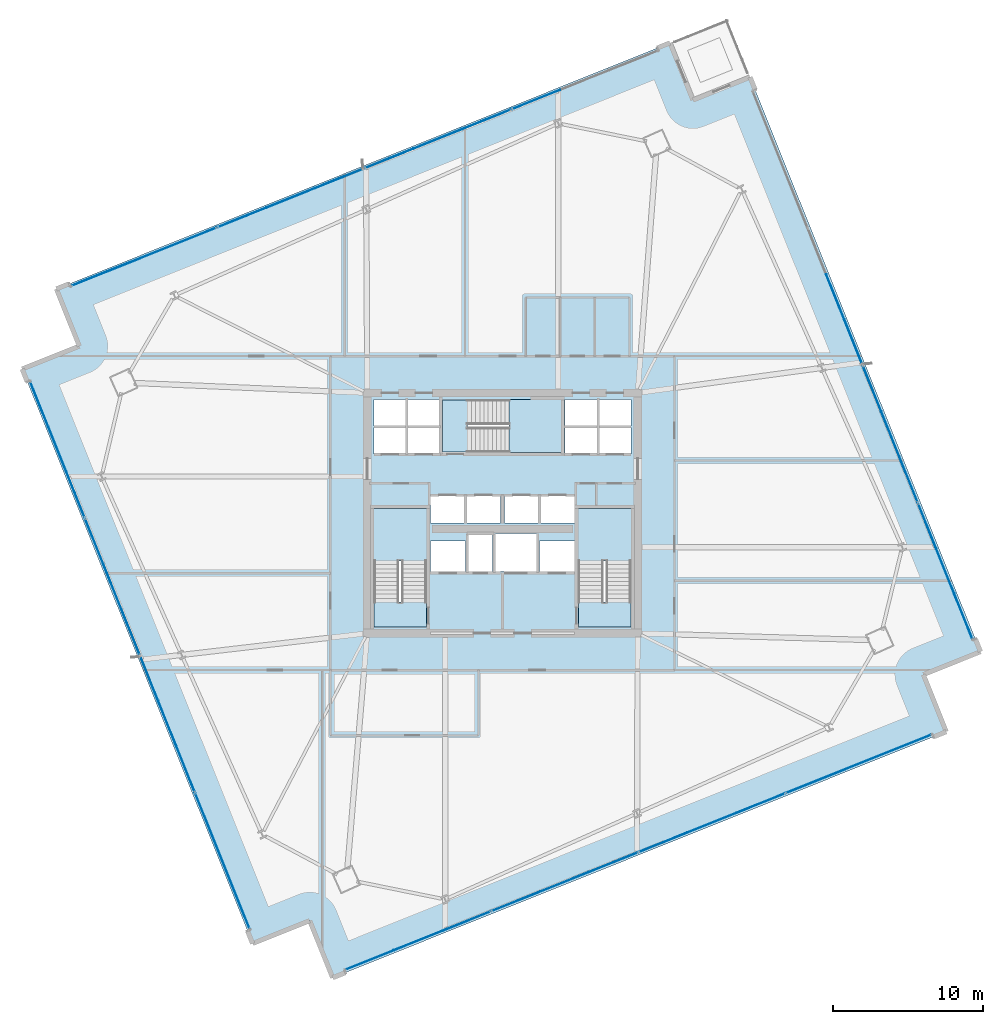
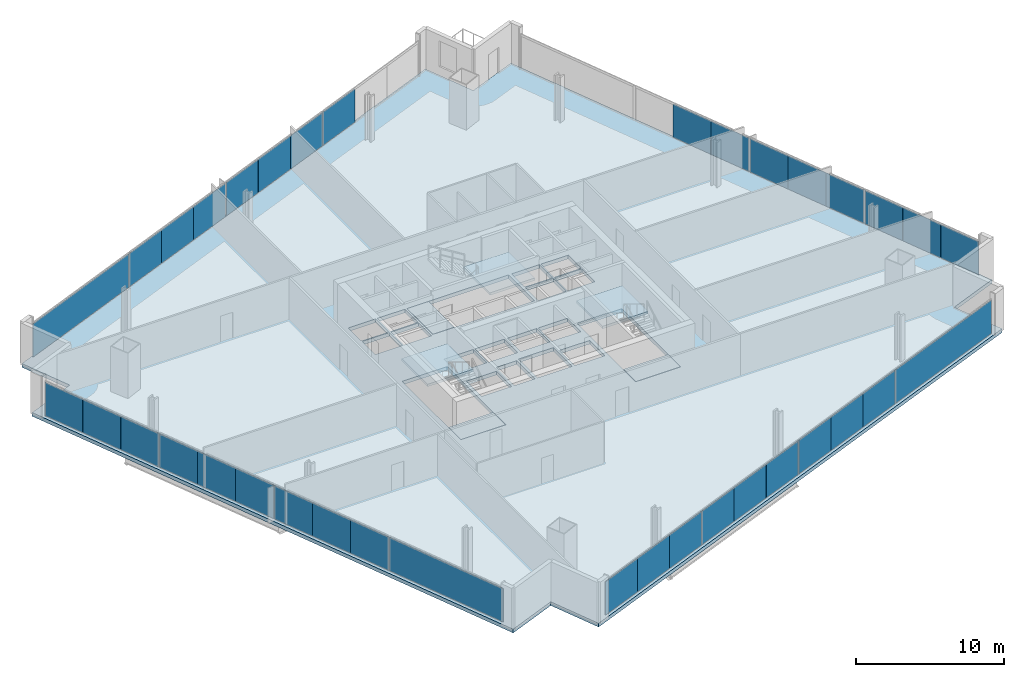
# One storey, part 23 of 33: 36 plates, 7 slabs, 7 elements without a shape of their own.
"""IFC4 building model written with IfcOpenShell, lengths in metres."""

from ifc_helpers import new_model, si_unit, direction, frame, origin, origin_2d, place, context, subcontext, project, spatial, polyline, rectangle, outline, extrude, source, transform, mapped, material, layer, layer_set, type_object, element, aggregate, save


model = new_model("IFC4")

# Units and contexts
model_context = context("Model", 3, precision=1e-05, world=origin(), true_north=direction((0.0, 1.0)))
body_context = subcontext(model_context, "Body", "Model", "MODEL_VIEW")
ifc_project = project(units=[si_unit("LENGTHUNIT", "METRE"), si_unit("AREAUNIT", "SQUARE_METRE"), si_unit("VOLUMEUNIT", "CUBIC_METRE"), si_unit("PLANEANGLEUNIT", "RADIAN"), si_unit("MASSUNIT", "GRAM", prefix="KILO")], contexts=[model_context])

# Site, building, storey
site_placement = place(None, origin())
site = spatial("IfcSite", under=ifc_project, at=site_placement, CompositionType="ELEMENT")
building_placement = place(site_placement, origin())
building = spatial("IfcBuilding", under=site, at=building_placement, Name="Haldenkirk Collegiate Tower", CompositionType="ELEMENT")
storey_placement = place(building_placement, frame((0.0, 0.0, 101.699951171875)))
storey = spatial("IfcBuildingStorey", under=building, at=storey_placement, Name="L24", CompositionType="ELEMENT", Elevation=101.699951171875)

# Slab
ifc_material_1 = material(Name="Concrete f'c 40 MPa", Category="concrete")
ifc_layer_1 = layer(ifc_material_1, 0.300048828125)
ifc_layer_set_1 = layer_set([ifc_layer_1], Name="Concrete f'c 40 MPa")
slab_type_1 = type_object("IfcSlabType", Name="SLB-FLR-300", PredefinedType="FLOOR", material=ifc_layer_set_1)
slab_1_placement = place(storey_placement, frame((0.0, 0.0, -0.300048828125)))
element("IfcSlab", 1, at=slab_1_placement, inside=storey, type_object=slab_type_1, Name="L24 composite structural floor slab", PredefinedType="FLOOR", context=body_context, shape_type="SweptSolid", body=[
    extrude(outline(polyline([(24.69873046875, -4.927978515625), (65.537841796875, 11.447998046875), (64.011962890625, 15.25341796875), (67.8173828125, 16.779296875), (52.483642578125, 55.01953125), (48.67822265625, 53.49365234375), (47.15234375, 57.299072265625), (6.313232421875, 40.92333984375), (7.839111328125, 37.117919921875), (4.03369140625, 35.591796875), (19.367431640625, -2.648193359375), (23.1728515625, -1.122314453125), (24.69873046875, -4.927978515625)]), holes=[polyline([(27.449951171875, 18.39990234375), (30.949951171875, 18.39990234375), (30.949951171875, 26.300048828125), (27.449951171875, 26.300048828125), (27.449951171875, 18.39990234375)]), polyline([(41.050048828125, 18.39990234375), (44.550048828125, 18.39990234375), (44.550048828125, 26.300048828125), (41.050048828125, 26.300048828125), (41.050048828125, 18.39990234375)]), polyline([(32.0, 30.050048828125), (39.89990234375, 30.050048828125), (39.89990234375, 33.550048828125), (32.0, 33.550048828125), (32.0, 30.050048828125)]), polyline([(33.75, 22.10009765625), (35.35009765625, 22.10009765625), (35.35009765625, 24.550048828125), (33.75, 24.550048828125), (33.75, 22.10009765625)]), polyline([(27.449951171875, 29.949951171875), (29.580078125, 29.949951171875), (29.580078125, 31.699951171875), (27.449951171875, 31.699951171875), (27.449951171875, 29.949951171875)]), polyline([(29.679931640625, 29.949951171875), (31.85009765625, 29.949951171875), (31.85009765625, 31.699951171875), (29.679931640625, 31.699951171875), (29.679931640625, 29.949951171875)]), polyline([(27.449951171875, 31.800048828125), (29.580078125, 31.800048828125), (29.580078125, 33.550048828125), (27.449951171875, 33.550048828125), (27.449951171875, 31.800048828125)]), polyline([(29.679931640625, 31.800048828125), (31.85009765625, 31.800048828125), (31.85009765625, 33.550048828125), (29.679931640625, 33.550048828125), (29.679931640625, 31.800048828125)]), polyline([(40.14990234375, 29.949951171875), (42.320068359375, 29.949951171875), (42.320068359375, 31.699951171875), (40.14990234375, 31.699951171875), (40.14990234375, 29.949951171875)]), polyline([(42.419921875, 29.949951171875), (44.550048828125, 29.949951171875), (44.550048828125, 31.699951171875), (42.419921875, 31.699951171875), (42.419921875, 29.949951171875)]), polyline([(40.14990234375, 31.800048828125), (42.320068359375, 31.800048828125), (42.320068359375, 33.550048828125), (40.14990234375, 33.550048828125), (40.14990234375, 31.800048828125)]), polyline([(42.419921875, 31.800048828125), (44.550048828125, 31.800048828125), (44.550048828125, 33.550048828125), (42.419921875, 33.550048828125), (42.419921875, 31.800048828125)]), polyline([(31.199951171875, 25.35009765625), (33.47998046875, 25.35009765625), (33.47998046875, 27.14990234375), (31.199951171875, 27.14990234375), (31.199951171875, 25.35009765625)]), polyline([(33.60009765625, 25.35009765625), (35.8798828125, 25.35009765625), (35.8798828125, 27.14990234375), (33.60009765625, 27.14990234375), (33.60009765625, 25.35009765625)]), polyline([(36.1201171875, 25.35009765625), (38.39990234375, 25.35009765625), (38.39990234375, 27.14990234375), (36.1201171875, 27.14990234375), (36.1201171875, 25.35009765625)]), polyline([(38.52001953125, 25.35009765625), (40.800048828125, 25.35009765625), (40.800048828125, 27.14990234375), (38.52001953125, 27.14990234375), (38.52001953125, 25.35009765625)]), polyline([(31.199951171875, 22.10009765625), (33.550048828125, 22.10009765625), (33.550048828125, 24.14990234375), (31.199951171875, 24.14990234375), (31.199951171875, 22.10009765625)]), polyline([(38.449951171875, 22.10009765625), (40.800048828125, 22.10009765625), (40.800048828125, 24.14990234375), (38.449951171875, 24.14990234375), (38.449951171875, 22.10009765625)]), polyline([(35.550048828125, 22.10009765625), (38.25, 22.10009765625), (38.25, 24.64990234375), (35.550048828125, 24.64990234375), (35.550048828125, 22.10009765625)])]), origin(), (0.0, 0.0, 1.0), 0.300048828125),
])

# Stair, slab
stair_type = type_object("IfcStairType", Name="STR-DOGLEG-1650", PredefinedType="HALF_TURN_STAIR", material=ifc_material_1)
stair_1_placement = place(storey_placement, origin())
stair_1 = element("IfcStair", 2, at=stair_1_placement, inside=storey, type_object=stair_type, Name="L24 Core Exit Stair ST-1", PredefinedType="HALF_TURN_STAIR")
ifc_layer_2 = layer(ifc_material_1, 0.199951171875)
ifc_layer_set_2 = layer_set([ifc_layer_2], Name="Concrete f'c 40 MPa")
slab_type_2 = type_object("IfcSlabType", Name="SLB-LANDING-200", PredefinedType="LANDING", material=ifc_layer_set_2)
slab_2_placement = place(storey_placement, frame((0.0, 0.0, 1.675048828125)))
slab_2 = element("IfcSlab", 3, at=slab_2_placement, type_object=slab_type_2, Name="ST-1 landing 1", PredefinedType="LANDING", context=body_context, shape_type="SweptSolid", body=[
    extrude(outline(polyline([(30.97509765625, 22.824951171875), (27.425048828125, 22.824951171875), (27.425048828125, 26.324951171875), (30.97509765625, 26.324951171875), (30.97509765625, 22.824951171875)])), origin(), (0.0, 0.0, 1.0), 0.199951171875),
])
aggregate(stair_1, [slab_2])

stair_2_placement = place(storey_placement, origin())
stair_2 = element("IfcStair", 4, at=stair_2_placement, inside=storey, type_object=stair_type, Name="L24 Core Exit Stair ST-2", PredefinedType="HALF_TURN_STAIR")
slab_3_placement = place(storey_placement, frame((0.0, 0.0, 1.675048828125)))
slab_3 = element("IfcSlab", 5, at=slab_3_placement, type_object=slab_type_2, Name="ST-2 landing 1", PredefinedType="LANDING", context=body_context, shape_type="SweptSolid", body=[
    extrude(outline(polyline([(44.574951171875, 22.824951171875), (41.02490234375, 22.824951171875), (41.02490234375, 26.324951171875), (44.574951171875, 26.324951171875), (44.574951171875, 22.824951171875)])), origin(), (0.0, 0.0, 1.0), 0.199951171875),
])
aggregate(stair_2, [slab_3])

stair_3_placement = place(storey_placement, origin())
stair_3 = element("IfcStair", 6, at=stair_3_placement, inside=storey, type_object=stair_type, Name="L24 Core Exit Stair ST-3", PredefinedType="HALF_TURN_STAIR")
slab_4_placement = place(storey_placement, frame((0.0, 0.0, 1.675048828125)))
slab_4 = element("IfcSlab", 7, at=slab_4_placement, type_object=slab_type_2, Name="ST-3 landing 1", PredefinedType="LANDING", context=body_context, shape_type="SweptSolid", body=[
    extrude(outline(polyline([(36.425048828125, 30.02490234375), (36.425048828125, 33.574951171875), (39.925048828125, 33.574951171875), (39.925048828125, 30.02490234375), (36.425048828125, 30.02490234375)])), origin(), (0.0, 0.0, 1.0), 0.199951171875),
])
aggregate(stair_3, [slab_4])

# Slabs
ifc_layer_3 = layer(ifc_material_1, 0.25)
ifc_layer_set_3 = layer_set([ifc_layer_3], Name="Concrete f'c 40 MPa")
slab_type_3 = type_object("IfcSlabType", Name="SLB-STAIRLAND-250", PredefinedType="LANDING", material=ifc_layer_set_3)
slab_5_placement = place(storey_placement, frame((0.0, 0.0, -0.25)))
element("IfcSlab", 8, at=slab_5_placement, inside=storey, type_object=slab_type_3, Name="L24 stair ST1 structural floor landing slab", PredefinedType="LANDING", context=body_context, shape_type="SweptSolid", body=[
    extrude(outline(polyline([(27.4599609375, 18.409912109375), (30.93994140625, 18.409912109375), (30.93994140625, 20.080078125), (27.4599609375, 20.080078125), (27.4599609375, 18.409912109375)])), origin(), (0.0, 0.0, 1.0), 0.25),
])
slab_6_placement = place(storey_placement, frame((0.0, 0.0, -0.25)))
element("IfcSlab", 9, at=slab_6_placement, inside=storey, type_object=slab_type_3, Name="L24 stair ST2 structural floor landing slab", PredefinedType="LANDING", context=body_context, shape_type="SweptSolid", body=[
    extrude(outline(polyline([(41.06005859375, 18.409912109375), (44.5400390625, 18.409912109375), (44.5400390625, 20.080078125), (41.06005859375, 20.080078125), (41.06005859375, 18.409912109375)])), origin(), (0.0, 0.0, 1.0), 0.25),
])
slab_7_placement = place(storey_placement, frame((0.0, 0.0, -0.25)))
element("IfcSlab", 10, at=slab_7_placement, inside=storey, type_object=slab_type_3, Name="L24 stair ST3 structural floor landing slab", PredefinedType="LANDING", context=body_context, shape_type="SweptSolid", body=[
    extrude(outline(polyline([(32.010009765625, 30.06005859375), (33.679931640625, 30.06005859375), (33.679931640625, 33.5400390625), (32.010009765625, 33.5400390625), (32.010009765625, 30.06005859375)])), origin(), (0.0, 0.0, 1.0), 0.25),
])

# Curtain wall, plates
ifc_material_2 = material(Name="Anodised architectural bronze aluminium", Category="aluminium")
curtain_wall_type_1 = type_object("IfcCurtainWallType", Name="CW-SYS2-CONCAVE", PredefinedType="USERDEFINED", material=ifc_material_2)
curtain_wall_1_placement = place(storey_placement, origin())
curtain_wall_1 = element("IfcCurtainWall", 11, at=curtain_wall_1_placement, inside=storey, type_object=curtain_wall_type_1, Name="L24 South concave recessed bronze-anodised curtain wall", ObjectType="UNITISED CURTAIN WALL", PredefinedType="USERDEFINED")
ifc_material_3 = material(Name="Low-E argon triple insulating glass", Category="glass")
ifc_layer_4 = layer(ifc_material_3, 0.0419921875)
ifc_layer_set_4 = layer_set([ifc_layer_4], Name="Low-E argon triple insulating glass")
plate_type_1 = type_object("IfcPlateType", Name="CW-PNL-02", PredefinedType="CURTAIN_PANEL", material=ifc_layer_set_4)
shared_shape_1 = source(origin(), body_context, "Body", "SweptSolid", [
    extrude(rectangle(XDim=10.4375, YDim=0.0419921875, at=origin_2d()), origin(), (0.0, 0.0, 1.0), 2.7509765625),
])
plate_1_placement = place(storey_placement, frame((59.72216796875, 9.309814453125, 0.074951171875), z_axis=(0.0, 0.0, 1.0), x_axis=(-0.928161764486, -0.372177026355, 0.0)))
plate_1 = element("IfcPlate", 12, at=plate_1_placement, type_object=plate_type_1, Name="CW-02 panel 1.1", PredefinedType="CURTAIN_PANEL", context=body_context, shape_type="MappedRepresentation", body=[
    mapped(shared_shape_1, transform((0.0, 0.0, 0.0), x_axis=(1.0, 0.0, 0.0), y_axis=(0.0, 1.0, 0.0), z_axis=(0.0, 0.0, 1.0), scale=1.0)),
])
ifc_material_4 = material(Name="Bronze-anodised insulated aluminium spandrel panel", Category="aluminium")
ifc_layer_5 = layer(ifc_material_4, 0.0419921875)
ifc_layer_set_5 = layer_set([ifc_layer_5], Name="Bronze-anodised insulated aluminium spandrel panel")
plate_type_2 = type_object("IfcPlateType", Name="CW-SPD-02", PredefinedType="CURTAIN_PANEL", material=ifc_layer_set_5)
shared_shape_2 = source(origin(), body_context, "Body", "SweptSolid", [
    extrude(rectangle(XDim=3.479248046875, YDim=0.0419921875, at=origin_2d()), origin(), (0.0, 0.0, 1.0), 2.7509765625),
])
plate_2_placement = place(storey_placement, frame((53.194091796875, 6.692138671875, 0.074951171875), z_axis=(0.0, 0.0, 1.0), x_axis=(-0.928161764486, -0.372177026355, 0.0)))
plate_2 = element("IfcPlate", 13, at=plate_2_placement, type_object=plate_type_2, Name="CW-02 spandrel panel 2.1a", PredefinedType="CURTAIN_PANEL", context=body_context, shape_type="MappedRepresentation", body=[
    mapped(shared_shape_2, transform((0.0, 0.0, 0.0), x_axis=(1.0, 0.0, 0.0), y_axis=(0.0, 1.0, 0.0), z_axis=(0.0, 0.0, 1.0), scale=1.0)),
])
plate_3_placement = place(storey_placement, frame((46.70068359375, 4.08837890625, 0.074951171875), z_axis=(0.0, 0.0, 1.0), x_axis=(-0.928161764486, -0.372177026355, 0.0)))
plate_3 = element("IfcPlate", 14, at=plate_3_placement, type_object=plate_type_2, Name="CW-02 spandrel panel 2.1c", PredefinedType="CURTAIN_PANEL", context=body_context, shape_type="MappedRepresentation", body=[
    mapped(shared_shape_2, transform((0.0, 0.0, 0.0), x_axis=(1.0, 0.0, 0.0), y_axis=(0.0, 1.0, 0.0), z_axis=(0.0, 0.0, 1.0), scale=1.0)),
])
plate_4_placement = place(storey_placement, frame((43.40185546875, 2.765869140625, 0.074951171875), z_axis=(0.0, 0.0, 1.0), x_axis=(-0.928161764486, -0.372177026355, 0.0)))
plate_4 = element("IfcPlate", 15, at=plate_4_placement, type_object=plate_type_1, Name="CW-02 panel 3.1a", PredefinedType="CURTAIN_PANEL", context=body_context, shape_type="MappedRepresentation", body=[
    mapped(shared_shape_2, transform((0.0, 0.0, 0.0), x_axis=(1.0, 0.0, 0.0), y_axis=(0.0, 1.0, 0.0), z_axis=(0.0, 0.0, 1.0), scale=1.0)),
])
plate_5_placement = place(storey_placement, frame((36.90869140625, 0.162109375, 0.074951171875), z_axis=(0.0, 0.0, 1.0), x_axis=(-0.928161764486, -0.372177026355, 0.0)))
plate_5 = element("IfcPlate", 16, at=plate_5_placement, type_object=plate_type_2, Name="CW-02 spandrel panel 3.1c", PredefinedType="CURTAIN_PANEL", context=body_context, shape_type="MappedRepresentation", body=[
    mapped(shared_shape_2, transform((0.0, 0.0, 0.0), x_axis=(1.0, 0.0, 0.0), y_axis=(0.0, 1.0, 0.0), z_axis=(0.0, 0.0, 1.0), scale=1.0)),
])
shared_shape_3 = source(origin(), body_context, "Body", "SweptSolid", [
    extrude(rectangle(XDim=3.466796875, YDim=0.0419921875, at=origin_2d()), origin(), (0.0, 0.0, 1.0), 2.7509765625),
])
plate_6_placement = place(storey_placement, frame((49.947509765625, 5.390380859375, 0.074951171875), z_axis=(0.0, 0.0, 1.0), x_axis=(-0.928161764486, -0.372177026355, 0.0)))
plate_6 = element("IfcPlate", 17, at=plate_6_placement, type_object=plate_type_2, Name="CW-02 spandrel panel 2.1b", PredefinedType="CURTAIN_PANEL", context=body_context, shape_type="MappedRepresentation", body=[
    mapped(shared_shape_3, transform((0.0, 0.0, 0.0), x_axis=(1.0, 0.0, 0.0), y_axis=(0.0, 1.0, 0.0), z_axis=(0.0, 0.0, 1.0), scale=1.0)),
])
plate_7_placement = place(storey_placement, frame((40.1552734375, 1.4638671875, 0.074951171875), z_axis=(0.0, 0.0, 1.0), x_axis=(-0.928161764486, -0.372177026355, 0.0)))
plate_7 = element("IfcPlate", 18, at=plate_7_placement, type_object=plate_type_1, Name="CW-02 panel 3.1b", PredefinedType="CURTAIN_PANEL", context=body_context, shape_type="MappedRepresentation", body=[
    mapped(shared_shape_3, transform((0.0, 0.0, 0.0), x_axis=(1.0, 0.0, 0.0), y_axis=(0.0, 1.0, 0.0), z_axis=(0.0, 0.0, 1.0), scale=1.0)),
])
plate_8_placement = place(storey_placement, frame((33.615478515625, -1.158447265625, 0.074951171875), z_axis=(0.0, 0.0, 1.0), x_axis=(-0.928161764486, -0.372177026355, 0.0)))
plate_8 = element("IfcPlate", 19, at=plate_8_placement, type_object=plate_type_2, Name="CW-02 spandrel panel 4.1a", PredefinedType="CURTAIN_PANEL", context=body_context, shape_type="MappedRepresentation", body=[
    mapped(shared_shape_3, transform((0.0, 0.0, 0.0), x_axis=(1.0, 0.0, 0.0), y_axis=(0.0, 1.0, 0.0), z_axis=(0.0, 0.0, 1.0), scale=1.0)),
])
plate_9_placement = place(storey_placement, frame((27.1455078125, -3.752685546875, 0.074951171875), z_axis=(0.0, 0.0, 1.0), x_axis=(-0.928161764486, -0.372177026355, 0.0)))
plate_9 = element("IfcPlate", 20, at=plate_9_placement, type_object=plate_type_1, Name="CW-02 panel 4.1c", PredefinedType="CURTAIN_PANEL", context=body_context, shape_type="MappedRepresentation", body=[
    mapped(shared_shape_3, transform((0.0, 0.0, 0.0), x_axis=(1.0, 0.0, 0.0), y_axis=(0.0, 1.0, 0.0), z_axis=(0.0, 0.0, 1.0), scale=1.0)),
])

# Curtain wall, plate
curtain_wall_type_2 = type_object("IfcCurtainWallType", Name="CW-SYS1-CONVEX-LOW", PredefinedType="USERDEFINED", material=ifc_material_2)
curtain_wall_2_placement = place(storey_placement, origin())
curtain_wall_2 = element("IfcCurtainWall", 21, at=curtain_wall_2_placement, inside=storey, type_object=curtain_wall_type_2, Name="L24 Lower tower convex bronze-framed unitised curtain wall", ObjectType="UNITISED CURTAIN WALL", PredefinedType="USERDEFINED")
ifc_layer_6 = layer(ifc_material_3, 0.0439453125)
ifc_layer_set_6 = layer_set([ifc_layer_6], Name="Low-E argon triple insulating glass")
plate_type_3 = type_object("IfcPlateType", Name="CW-PNL-1A", PredefinedType="CURTAIN_PANEL", material=ifc_layer_set_6)
shared_shape_4 = source(origin(), body_context, "Body", "SweptSolid", [
    extrude(rectangle(XDim=9.72998046875, YDim=0.0439453125, at=origin_2d()), origin(), (0.0, 0.0, 1.0), 2.740966796875),
])
plate_10_placement = place(storey_placement, frame((17.359130859375, 2.84375, 0.080078125), z_axis=(0.0, 0.0, 1.0), x_axis=(-0.372175157841, 0.928162513726, 0.0)))
plate_10 = element("IfcPlate", 22, at=plate_10_placement, type_object=plate_type_3, Name="CW-1A panel 1.1", PredefinedType="CURTAIN_PANEL", context=body_context, shape_type="MappedRepresentation", body=[
    mapped(shared_shape_4, transform((0.0, 0.0, 0.0), x_axis=(1.0, 0.0, 0.0), y_axis=(0.0, 1.0, 0.0), z_axis=(0.0, 0.0, 1.0), scale=1.0)),
])

# Curtain wall, plates
curtain_wall_3_placement = place(storey_placement, origin())
curtain_wall_3 = element("IfcCurtainWall", 23, at=curtain_wall_3_placement, inside=storey, type_object=curtain_wall_type_2, Name="L24 Lower tower convex bronze-framed unitised curtain wall", ObjectType="UNITISED CURTAIN WALL", PredefinedType="USERDEFINED")
ifc_layer_7 = layer(ifc_material_4, 0.0439453125)
ifc_layer_set_7 = layer_set([ifc_layer_7], Name="Bronze-anodised insulated aluminium spandrel panel")
plate_type_4 = type_object("IfcPlateType", Name="CW-SPD-1A", PredefinedType="CURTAIN_PANEL", material=ifc_layer_set_7)
shared_shape_5 = source(origin(), body_context, "Body", "SweptSolid", [
    extrude(rectangle(XDim=3.244140625, YDim=0.0439453125, at=origin_2d()), origin(), (0.0, 0.0, 1.0), 2.740966796875),
])
plate_11_placement = place(storey_placement, frame((59.364990234375, 37.375244140625, 0.080078125), z_axis=(0.0, 0.0, 1.0), x_axis=(0.372175157841, -0.928162513726, 0.0)))
plate_11 = element("IfcPlate", 24, at=plate_11_placement, type_object=plate_type_4, Name="CW-1A spandrel panel 2.1c", PredefinedType="CURTAIN_PANEL", context=body_context, shape_type="MappedRepresentation", body=[
    mapped(shared_shape_5, transform((0.0, 0.0, 0.0), x_axis=(1.0, 0.0, 0.0), y_axis=(0.0, 1.0, 0.0), z_axis=(0.0, 0.0, 1.0), scale=1.0)),
])
plate_12_placement = place(storey_placement, frame((60.60205078125, 34.289794921875, 0.080078125), z_axis=(0.0, 0.0, 1.0), x_axis=(0.372175157841, -0.928162513726, 0.0)))
plate_12 = element("IfcPlate", 25, at=plate_12_placement, type_object=plate_type_3, Name="CW-1A panel 3.1a", PredefinedType="CURTAIN_PANEL", context=body_context, shape_type="MappedRepresentation", body=[
    mapped(shared_shape_5, transform((0.0, 0.0, 0.0), x_axis=(1.0, 0.0, 0.0), y_axis=(0.0, 1.0, 0.0), z_axis=(0.0, 0.0, 1.0), scale=1.0)),
])
plate_13_placement = place(storey_placement, frame((63.03076171875, 28.23291015625, 0.080078125), z_axis=(0.0, 0.0, 1.0), x_axis=(0.372175157841, -0.928162513726, 0.0)))
plate_13 = element("IfcPlate", 26, at=plate_13_placement, type_object=plate_type_4, Name="CW-1A spandrel panel 3.1c", PredefinedType="CURTAIN_PANEL", context=body_context, shape_type="MappedRepresentation", body=[
    mapped(shared_shape_5, transform((0.0, 0.0, 0.0), x_axis=(1.0, 0.0, 0.0), y_axis=(0.0, 1.0, 0.0), z_axis=(0.0, 0.0, 1.0), scale=1.0)),
])

# Plate
plate_14_placement = place(storey_placement, frame((14.9150390625, 8.939208984375, 0.080078125), z_axis=(0.0, 0.0, 1.0), x_axis=(-0.372175157841, 0.928162513726, 0.0)))
plate_14 = element("IfcPlate", 27, at=plate_14_placement, type_object=plate_type_4, Name="CW-1A spandrel panel 2.1a", PredefinedType="CURTAIN_PANEL", context=body_context, shape_type="MappedRepresentation", body=[
    mapped(shared_shape_5, transform((0.0, 0.0, 0.0), x_axis=(1.0, 0.0, 0.0), y_axis=(0.0, 1.0, 0.0), z_axis=(0.0, 0.0, 1.0), scale=1.0)),
])

plate_15_placement = place(storey_placement, frame((12.486083984375, 14.99609375, 0.080078125), z_axis=(0.0, 0.0, 1.0), x_axis=(-0.372175157841, 0.928162513726, 0.0)))
plate_15 = element("IfcPlate", 28, at=plate_15_placement, type_object=plate_type_4, Name="CW-1A spandrel panel 2.1c", PredefinedType="CURTAIN_PANEL", context=body_context, shape_type="MappedRepresentation", body=[
    mapped(shared_shape_5, transform((0.0, 0.0, 0.0), x_axis=(1.0, 0.0, 0.0), y_axis=(0.0, 1.0, 0.0), z_axis=(0.0, 0.0, 1.0), scale=1.0)),
])

plate_16_placement = place(storey_placement, frame((11.2490234375, 18.08154296875, 0.080078125), z_axis=(0.0, 0.0, 1.0), x_axis=(-0.372175157841, 0.928162513726, 0.0)))
plate_16 = element("IfcPlate", 29, at=plate_16_placement, type_object=plate_type_3, Name="CW-1A panel 3.1a", PredefinedType="CURTAIN_PANEL", context=body_context, shape_type="MappedRepresentation", body=[
    mapped(shared_shape_5, transform((0.0, 0.0, 0.0), x_axis=(1.0, 0.0, 0.0), y_axis=(0.0, 1.0, 0.0), z_axis=(0.0, 0.0, 1.0), scale=1.0)),
])

plate_17_placement = place(storey_placement, frame((8.8203125, 24.138427734375, 0.080078125), z_axis=(0.0, 0.0, 1.0), x_axis=(-0.372175157841, 0.928162513726, 0.0)))
plate_17 = element("IfcPlate", 30, at=plate_17_placement, type_object=plate_type_4, Name="CW-1A spandrel panel 3.1c", PredefinedType="CURTAIN_PANEL", context=body_context, shape_type="MappedRepresentation", body=[
    mapped(shared_shape_5, transform((0.0, 0.0, 0.0), x_axis=(1.0, 0.0, 0.0), y_axis=(0.0, 1.0, 0.0), z_axis=(0.0, 0.0, 1.0), scale=1.0)),
])

shared_shape_6 = source(origin(), body_context, "Body", "SweptSolid", [
    extrude(rectangle(XDim=3.231689453125, YDim=0.0439453125, at=origin_2d()), origin(), (0.0, 0.0, 1.0), 2.740966796875),
])
plate_18_placement = place(storey_placement, frame((58.150390625, 40.40380859375, 0.080078125), z_axis=(0.0, 0.0, 1.0), x_axis=(0.372175157841, -0.928162513726, 0.0)))
plate_18 = element("IfcPlate", 31, at=plate_18_placement, type_object=plate_type_4, Name="CW-1A spandrel panel 2.1b", PredefinedType="CURTAIN_PANEL", context=body_context, shape_type="MappedRepresentation", body=[
    mapped(shared_shape_6, transform((0.0, 0.0, 0.0), x_axis=(1.0, 0.0, 0.0), y_axis=(0.0, 1.0, 0.0), z_axis=(0.0, 0.0, 1.0), scale=1.0)),
])

plate_19_placement = place(storey_placement, frame((61.81640625, 31.26123046875, 0.080078125), z_axis=(0.0, 0.0, 1.0), x_axis=(0.372175157841, -0.928162513726, 0.0)))
plate_19 = element("IfcPlate", 32, at=plate_19_placement, type_object=plate_type_3, Name="CW-1A panel 3.1b", PredefinedType="CURTAIN_PANEL", context=body_context, shape_type="MappedRepresentation", body=[
    mapped(shared_shape_6, transform((0.0, 0.0, 0.0), x_axis=(1.0, 0.0, 0.0), y_axis=(0.0, 1.0, 0.0), z_axis=(0.0, 0.0, 1.0), scale=1.0)),
])

plate_20_placement = place(storey_placement, frame((13.70068359375, 11.967529296875, 0.080078125), z_axis=(0.0, 0.0, 1.0), x_axis=(-0.372175157841, 0.928162513726, 0.0)))
plate_20 = element("IfcPlate", 33, at=plate_20_placement, type_object=plate_type_4, Name="CW-1A spandrel panel 2.1b", PredefinedType="CURTAIN_PANEL", context=body_context, shape_type="MappedRepresentation", body=[
    mapped(shared_shape_6, transform((0.0, 0.0, 0.0), x_axis=(1.0, 0.0, 0.0), y_axis=(0.0, 1.0, 0.0), z_axis=(0.0, 0.0, 1.0), scale=1.0)),
])

plate_21_placement = place(storey_placement, frame((10.03466796875, 21.110107421875, 0.080078125), z_axis=(0.0, 0.0, 1.0), x_axis=(-0.372175157841, 0.928162513726, 0.0)))
plate_21 = element("IfcPlate", 34, at=plate_21_placement, type_object=plate_type_3, Name="CW-1A panel 3.1b", PredefinedType="CURTAIN_PANEL", context=body_context, shape_type="MappedRepresentation", body=[
    mapped(shared_shape_6, transform((0.0, 0.0, 0.0), x_axis=(1.0, 0.0, 0.0), y_axis=(0.0, 1.0, 0.0), z_axis=(0.0, 0.0, 1.0), scale=1.0)),
])

# Curtain wall, plates
curtain_wall_4_placement = place(storey_placement, origin())
curtain_wall_4 = element("IfcCurtainWall", 35, at=curtain_wall_4_placement, inside=storey, type_object=curtain_wall_type_2, Name="L24 Lower tower convex bronze-framed unitised curtain wall", ObjectType="UNITISED CURTAIN WALL", PredefinedType="USERDEFINED")
shared_shape_7 = source(origin(), body_context, "Body", "SweptSolid", [
    extrude(rectangle(XDim=10.429931640625, YDim=0.0439453125, at=origin_2d()), origin(), (0.0, 0.0, 1.0), 2.740966796875),
])
plate_22_placement = place(storey_placement, frame((12.130126953125, 43.061767578125, 0.080078125), z_axis=(0.0, 0.0, 1.0), x_axis=(0.928162583061, 0.372174984928, 0.0)))
plate_22 = element("IfcPlate", 36, at=plate_22_placement, type_object=plate_type_3, Name="CW-1A panel 1.1", PredefinedType="CURTAIN_PANEL", context=body_context, shape_type="MappedRepresentation", body=[
    mapped(shared_shape_7, transform((0.0, 0.0, 0.0), x_axis=(1.0, 0.0, 0.0), y_axis=(0.0, 1.0, 0.0), z_axis=(0.0, 0.0, 1.0), scale=1.0)),
])
shared_shape_8 = source(origin(), body_context, "Body", "SweptSolid", [
    extrude(rectangle(XDim=3.4775390625, YDim=0.0439453125, at=origin_2d()), origin(), (0.0, 0.0, 1.0), 2.740966796875),
])
plate_23_placement = place(storey_placement, frame((18.65869140625, 45.6796875, 0.080078125), z_axis=(0.0, 0.0, 1.0), x_axis=(0.928162583061, 0.372174984928, 0.0)))
plate_23 = element("IfcPlate", 37, at=plate_23_placement, type_object=plate_type_4, Name="CW-1A spandrel panel 2.1a", PredefinedType="CURTAIN_PANEL", context=body_context, shape_type="MappedRepresentation", body=[
    mapped(shared_shape_8, transform((0.0, 0.0, 0.0), x_axis=(1.0, 0.0, 0.0), y_axis=(0.0, 1.0, 0.0), z_axis=(0.0, 0.0, 1.0), scale=1.0)),
])
plate_24_placement = place(storey_placement, frame((25.148681640625, 48.281982421875, 0.080078125), z_axis=(0.0, 0.0, 1.0), x_axis=(0.928162583061, 0.372174984928, 0.0)))
plate_24 = element("IfcPlate", 38, at=plate_24_placement, type_object=plate_type_4, Name="CW-1A spandrel panel 2.1c", PredefinedType="CURTAIN_PANEL", context=body_context, shape_type="MappedRepresentation", body=[
    mapped(shared_shape_8, transform((0.0, 0.0, 0.0), x_axis=(1.0, 0.0, 0.0), y_axis=(0.0, 1.0, 0.0), z_axis=(0.0, 0.0, 1.0), scale=1.0)),
])
plate_25_placement = place(storey_placement, frame((28.45068359375, 49.606201171875, 0.080078125), z_axis=(0.0, 0.0, 1.0), x_axis=(0.928162583061, 0.372174984928, 0.0)))
plate_25 = element("IfcPlate", 39, at=plate_25_placement, type_object=plate_type_3, Name="CW-1A panel 3.1a", PredefinedType="CURTAIN_PANEL", context=body_context, shape_type="MappedRepresentation", body=[
    mapped(shared_shape_8, transform((0.0, 0.0, 0.0), x_axis=(1.0, 0.0, 0.0), y_axis=(0.0, 1.0, 0.0), z_axis=(0.0, 0.0, 1.0), scale=1.0)),
])
plate_26_placement = place(storey_placement, frame((34.94091796875, 52.20849609375, 0.080078125), z_axis=(0.0, 0.0, 1.0), x_axis=(0.928162583061, 0.372174984928, 0.0)))
plate_26 = element("IfcPlate", 40, at=plate_26_placement, type_object=plate_type_4, Name="CW-1A spandrel panel 3.1c", PredefinedType="CURTAIN_PANEL", context=body_context, shape_type="MappedRepresentation", body=[
    mapped(shared_shape_8, transform((0.0, 0.0, 0.0), x_axis=(1.0, 0.0, 0.0), y_axis=(0.0, 1.0, 0.0), z_axis=(0.0, 0.0, 1.0), scale=1.0)),
])
shared_shape_9 = source(origin(), body_context, "Body", "SweptSolid", [
    extrude(rectangle(XDim=3.465087890625, YDim=0.0439453125, at=origin_2d()), origin(), (0.0, 0.0, 1.0), 2.740966796875),
])
plate_27_placement = place(storey_placement, frame((21.90380859375, 46.98095703125, 0.080078125), z_axis=(0.0, 0.0, 1.0), x_axis=(0.928162583061, 0.372174984928, 0.0)))
plate_27 = element("IfcPlate", 41, at=plate_27_placement, type_object=plate_type_4, Name="CW-1A spandrel panel 2.1b", PredefinedType="CURTAIN_PANEL", context=body_context, shape_type="MappedRepresentation", body=[
    mapped(shared_shape_9, transform((0.0, 0.0, 0.0), x_axis=(1.0, 0.0, 0.0), y_axis=(0.0, 1.0, 0.0), z_axis=(0.0, 0.0, 1.0), scale=1.0)),
])
plate_28_placement = place(storey_placement, frame((31.69580078125, 50.9072265625, 0.080078125), z_axis=(0.0, 0.0, 1.0), x_axis=(0.928162583061, 0.372174984928, 0.0)))
plate_28 = element("IfcPlate", 42, at=plate_28_placement, type_object=plate_type_3, Name="CW-1A panel 3.1b", PredefinedType="CURTAIN_PANEL", context=body_context, shape_type="MappedRepresentation", body=[
    mapped(shared_shape_9, transform((0.0, 0.0, 0.0), x_axis=(1.0, 0.0, 0.0), y_axis=(0.0, 1.0, 0.0), z_axis=(0.0, 0.0, 1.0), scale=1.0)),
])

# Plate
shared_shape_10 = source(origin(), body_context, "Body", "SweptSolid", [
    extrude(rectangle(XDim=3.4541015625, YDim=0.0419921875, at=origin_2d()), origin(), (0.0, 0.0, 1.0), 2.7509765625),
])
plate_29_placement = place(storey_placement, frame((30.380615234375, -2.45556640625, 0.074951171875), z_axis=(0.0, 0.0, 1.0), x_axis=(-0.928161764486, -0.372177026355, 0.0)))
plate_29 = element("IfcPlate", 43, at=plate_29_placement, type_object=plate_type_1, Name="CW-02 panel 4.1b", PredefinedType="CURTAIN_PANEL", context=body_context, shape_type="MappedRepresentation", body=[
    mapped(shared_shape_10, transform((0.0, 0.0, 0.0), x_axis=(1.0, 0.0, 0.0), y_axis=(0.0, 1.0, 0.0), z_axis=(0.0, 0.0, 1.0), scale=1.0)),
])

aggregate(curtain_wall_1, [plate_1, plate_2, plate_6, plate_3, plate_4, plate_7, plate_5, plate_8, plate_29, plate_9])

shared_shape_11 = source(origin(), body_context, "Body", "SweptSolid", [
    extrude(rectangle(XDim=3.230712890625, YDim=0.0439453125, at=origin_2d()), origin(), (0.0, 0.0, 1.0), 2.740966796875),
])
plate_30_placement = place(storey_placement, frame((64.265380859375, 25.153564453125, 0.080078125), z_axis=(0.0, 0.0, 1.0), x_axis=(0.372175157841, -0.928162513726, 0.0)))
plate_30 = element("IfcPlate", 44, at=plate_30_placement, type_object=plate_type_4, Name="CW-1A spandrel panel 4.1a", PredefinedType="CURTAIN_PANEL", context=body_context, shape_type="MappedRepresentation", body=[
    mapped(shared_shape_11, transform((0.0, 0.0, 0.0), x_axis=(1.0, 0.0, 0.0), y_axis=(0.0, 1.0, 0.0), z_axis=(0.0, 0.0, 1.0), scale=1.0)),
])

plate_31_placement = place(storey_placement, frame((66.684326171875, 19.121337890625, 0.080078125), z_axis=(0.0, 0.0, 1.0), x_axis=(0.372175157841, -0.928162513726, 0.0)))
plate_31 = element("IfcPlate", 45, at=plate_31_placement, type_object=plate_type_3, Name="CW-1A panel 4.1c", PredefinedType="CURTAIN_PANEL", context=body_context, shape_type="MappedRepresentation", body=[
    mapped(shared_shape_11, transform((0.0, 0.0, 0.0), x_axis=(1.0, 0.0, 0.0), y_axis=(0.0, 1.0, 0.0), z_axis=(0.0, 0.0, 1.0), scale=1.0)),
])

plate_32_placement = place(storey_placement, frame((7.585693359375, 27.2177734375, 0.080078125), z_axis=(0.0, 0.0, 1.0), x_axis=(-0.372175157841, 0.928162513726, 0.0)))
plate_32 = element("IfcPlate", 46, at=plate_32_placement, type_object=plate_type_4, Name="CW-1A spandrel panel 4.1a", PredefinedType="CURTAIN_PANEL", context=body_context, shape_type="MappedRepresentation", body=[
    mapped(shared_shape_11, transform((0.0, 0.0, 0.0), x_axis=(1.0, 0.0, 0.0), y_axis=(0.0, 1.0, 0.0), z_axis=(0.0, 0.0, 1.0), scale=1.0)),
])

plate_33_placement = place(storey_placement, frame((5.166748046875, 33.25, 0.080078125), z_axis=(0.0, 0.0, 1.0), x_axis=(-0.372175157841, 0.928162513726, 0.0)))
plate_33 = element("IfcPlate", 47, at=plate_33_placement, type_object=plate_type_3, Name="CW-1A panel 4.1c", PredefinedType="CURTAIN_PANEL", context=body_context, shape_type="MappedRepresentation", body=[
    mapped(shared_shape_11, transform((0.0, 0.0, 0.0), x_axis=(1.0, 0.0, 0.0), y_axis=(0.0, 1.0, 0.0), z_axis=(0.0, 0.0, 1.0), scale=1.0)),
])

shared_shape_12 = source(origin(), body_context, "Body", "SweptSolid", [
    extrude(rectangle(XDim=3.21826171875, YDim=0.0439453125, at=origin_2d()), origin(), (0.0, 0.0, 1.0), 2.740966796875),
])
plate_34_placement = place(storey_placement, frame((65.474853515625, 22.137451171875, 0.080078125), z_axis=(0.0, 0.0, 1.0), x_axis=(0.372175157841, -0.928162513726, 0.0)))
plate_34 = element("IfcPlate", 48, at=plate_34_placement, type_object=plate_type_3, Name="CW-1A panel 4.1b", PredefinedType="CURTAIN_PANEL", context=body_context, shape_type="MappedRepresentation", body=[
    mapped(shared_shape_12, transform((0.0, 0.0, 0.0), x_axis=(1.0, 0.0, 0.0), y_axis=(0.0, 1.0, 0.0), z_axis=(0.0, 0.0, 1.0), scale=1.0)),
])

aggregate(curtain_wall_3, [plate_18, plate_11, plate_12, plate_19, plate_13, plate_30, plate_34, plate_31])

plate_35_placement = place(storey_placement, frame((6.376220703125, 30.23388671875, 0.080078125), z_axis=(0.0, 0.0, 1.0), x_axis=(-0.372175157841, 0.928162513726, 0.0)))
plate_35 = element("IfcPlate", 49, at=plate_35_placement, type_object=plate_type_3, Name="CW-1A panel 4.1b", PredefinedType="CURTAIN_PANEL", context=body_context, shape_type="MappedRepresentation", body=[
    mapped(shared_shape_12, transform((0.0, 0.0, 0.0), x_axis=(1.0, 0.0, 0.0), y_axis=(0.0, 1.0, 0.0), z_axis=(0.0, 0.0, 1.0), scale=1.0)),
])

aggregate(curtain_wall_2, [plate_10, plate_14, plate_20, plate_15, plate_16, plate_21, plate_17, plate_32, plate_35, plate_33])

shared_shape_13 = source(origin(), body_context, "Body", "SweptSolid", [
    extrude(rectangle(XDim=3.464111328125, YDim=0.0439453125, at=origin_2d()), origin(), (0.0, 0.0, 1.0), 2.740966796875),
])
plate_36_placement = place(storey_placement, frame((38.23681640625, 53.530029296875, 0.080078125), z_axis=(0.0, 0.0, 1.0), x_axis=(0.928162583061, 0.372174984928, 0.0)))
plate_36 = element("IfcPlate", 50, at=plate_36_placement, type_object=plate_type_4, Name="CW-1A spandrel panel 4.1a", PredefinedType="CURTAIN_PANEL", context=body_context, shape_type="MappedRepresentation", body=[
    mapped(shared_shape_13, transform((0.0, 0.0, 0.0), x_axis=(1.0, 0.0, 0.0), y_axis=(0.0, 1.0, 0.0), z_axis=(0.0, 0.0, 1.0), scale=1.0)),
])

aggregate(curtain_wall_4, [plate_22, plate_23, plate_27, plate_24, plate_25, plate_28, plate_26, plate_36])

save(model, "model.ifc")
